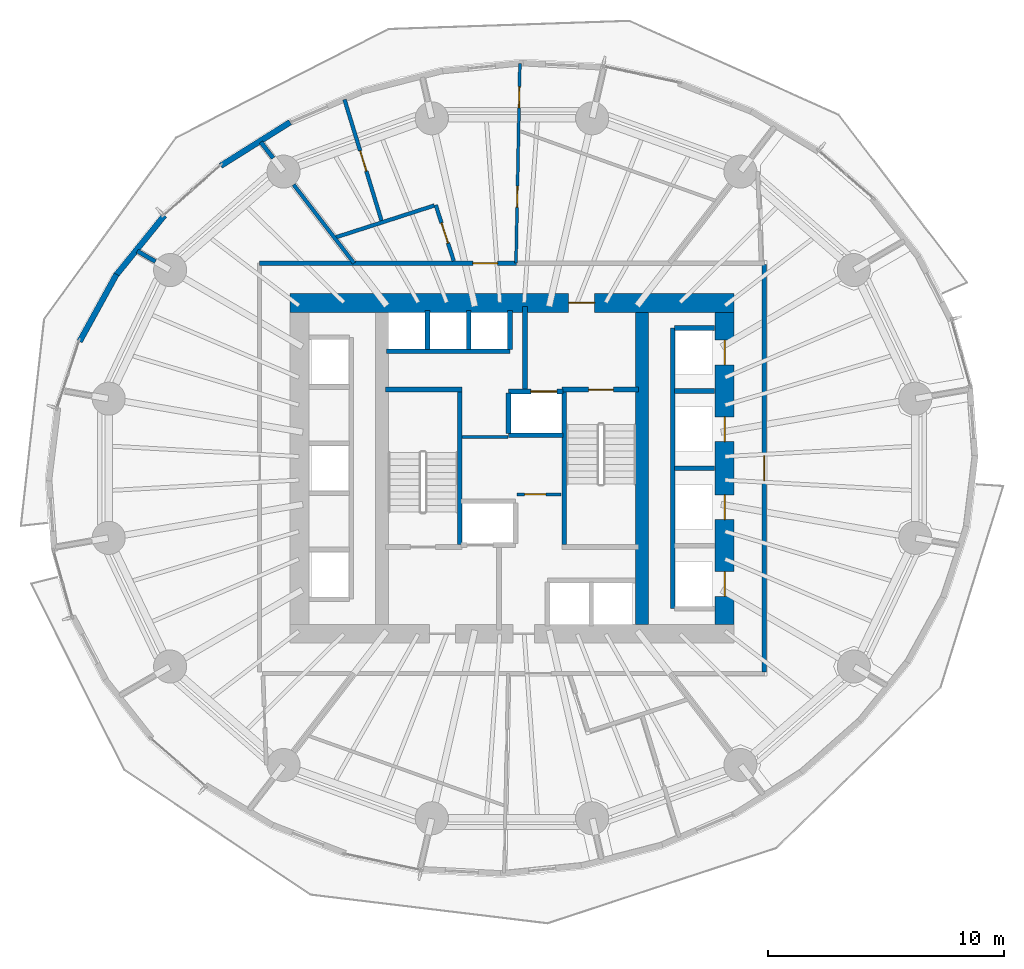
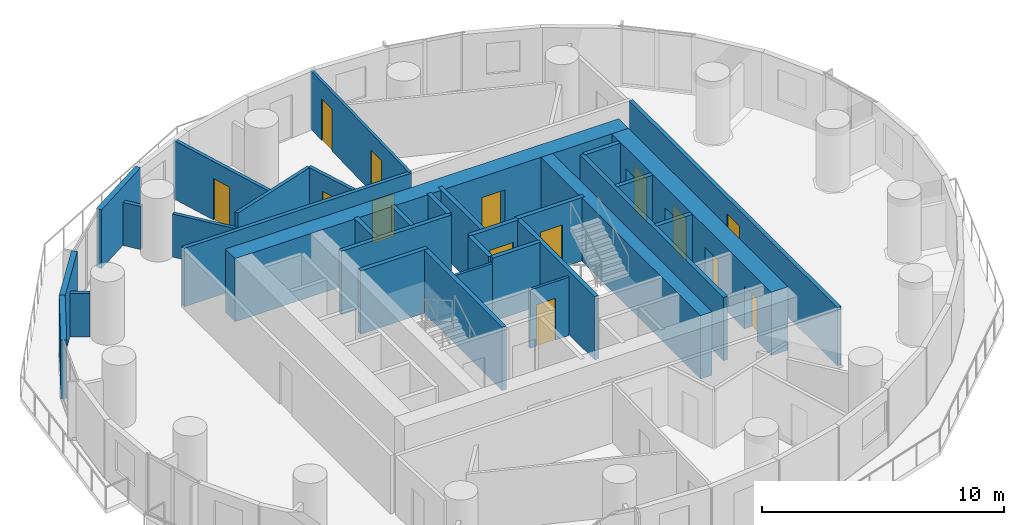
# One storey, part 8 of 13: 33 walls, 14 doors, 14 openings.
"""IFC4 building model written with IfcOpenShell, lengths in metres."""

from ifc_helpers import new_model, si_unit, direction, frame, frame_2d, origin, place, context, subcontext, project, spatial, rectangle, extrude, material, layer, layer_set, type_object, element, fill, save


model = new_model("IFC4")

# Units and contexts
model_context = context("Model", 3, precision=1e-05, world=origin(), true_north=direction((0.0, 1.0)))
body_context = subcontext(model_context, "Body", "Model", "MODEL_VIEW")
ifc_project = project(units=[si_unit("LENGTHUNIT", "METRE"), si_unit("AREAUNIT", "SQUARE_METRE"), si_unit("VOLUMEUNIT", "CUBIC_METRE"), si_unit("PLANEANGLEUNIT", "RADIAN"), si_unit("MASSUNIT", "GRAM", prefix="KILO")], contexts=[model_context])

# Site, building, storey
site_placement = place(None, origin())
site = spatial("IfcSite", under=ifc_project, at=site_placement, CompositionType="ELEMENT")
building_placement = place(site_placement, origin())
building = spatial("IfcBuilding", under=site, at=building_placement, Name="Veldorim Arch Residences", CompositionType="ELEMENT")
storey_placement = place(building_placement, frame((0.0, 0.0, 47.199951171875)))
storey = spatial("IfcBuildingStorey", under=building, at=storey_placement, Name="L13", CompositionType="ELEMENT", Elevation=47.199951171875)

# Wall, opening, door
ifc_material_1 = material(Name="Acoustic Gypsum Board", Category="gypsum")
ifc_layer_1 = layer(ifc_material_1, 0.125, Name="Acoustic Stud Room Partition Wall 125")
ifc_layer_set_1 = layer_set([ifc_layer_1], Name="Acoustic Gypsum Board")
wall_type_1 = type_object("IfcWallType", Name="Acoustic Stud Room Partition Wall 125", PredefinedType="PARTITIONING", material=ifc_layer_set_1)
wall_1_placement = place(storey_placement, frame((32.219970703125, 22.89990234375, 0.0), z_axis=(0.0, 0.0, 1.0), x_axis=(1.0, 0.0, 0.0)))
wall_1 = element("IfcWall", 1, at=wall_1_placement, inside=storey, type_object=wall_type_1, Name="L13 interior wall WL-CA-L13-2", PredefinedType="PARTITIONING", context=body_context, shape_type="SweptSolid", body=[
    extrude(rectangle(XDim=1.860107421875, YDim=0.125, at=frame_2d((0.93017578125, 0.0))), origin(), (0.0, 0.0, 1.0), 2.955078125),
])
opening_1_placement = place(wall_1_placement, frame((0.31005859375, 0.0, 0.0)))
opening_1 = element("IfcOpeningElement", 2, at=opening_1_placement, cuts=wall_1, Name="Opening DR-SVC", PredefinedType="OPENING", context=body_context, shape_type="SweptSolid", body=[
    extrude(rectangle(XDim=0.89990234375, YDim=2.10009765625, at=frame_2d((0.449951171875, 1.050048828125))), frame((0.0, 0.072509765625, 0.0), z_axis=(0.0, -1.0, 0.0), x_axis=(1.0, 0.0, 0.0)), (0.0, 0.0, 1.0), 0.14501953125),
])
ifc_material_2 = material(Name="Fire-Rated Steel", Category="steel")
door_type_1 = type_object("IfcDoorType", Name="Riser, Shelter & Plant Room Rated Steel Door 900x2100", OperationType="SINGLE_SWING_LEFT", PredefinedType="DOOR", material=ifc_material_2)
door_1_placement = place(opening_1_placement, origin())
door_1 = element("IfcDoor", 3, at=door_1_placement, inside=storey, type_object=door_type_1, Name="L13 interior door DR-L13-CA1", OperationType="SINGLE_SWING_RIGHT", OverallHeight=2.10009765625, OverallWidth=0.89990234375, PredefinedType="DOOR", context=body_context, shape_type="SweptSolid", body=[
    extrude(rectangle(XDim=0.89990234375, YDim=2.10009765625, at=frame_2d((0.449951171875, 1.050048828125))), frame((0.0, 0.02490234375, 0.0), z_axis=(0.0, -1.0, 0.0), x_axis=(1.0, 0.0, 0.0)), (0.0, 0.0, 1.0), 0.050048828125),
])
fill(opening_1, door_1)

# Wall
wall_2_placement = place(storey_placement, frame((29.889892578125, 25.330078125, 0.0), z_axis=(0.0, 0.0, 1.0), x_axis=(1.0, 0.0, 0.0)))
element("IfcWall", 4, at=wall_2_placement, inside=storey, type_object=wall_type_1, Name="L13 interior wall WL-CA-L13-N", PredefinedType="PARTITIONING", context=body_context, shape_type="SweptSolid", body=[
    extrude(rectangle(XDim=1.940185546875, YDim=0.125, at=frame_2d((0.97021484375, 0.0))), origin(), (0.0, 0.0, 1.0), 2.955078125),
])

# Wall, openings, doors
wall_3_placement = place(storey_placement, frame((32.334716796875, 41.129638671875, 0.0), z_axis=(0.0, 0.0, 1.0), x_axis=(-0.019528202577, -0.99980930647, 0.0)))
wall_3 = element("IfcWall", 5, at=wall_3_placement, inside=storey, type_object=wall_type_1, Name="L13 interior wall WL-RES-L13-017", PredefinedType="PARTITIONING", context=body_context, shape_type="SweptSolid", body=[
    extrude(rectangle(XDim=8.451416015625, YDim=0.125, at=frame_2d((4.2255859375, 0.0))), origin(), (0.0, 0.0, 1.0), 2.955078125),
])
opening_2_placement = place(wall_3_placement, frame((0.981201171875, 0.0, 0.0)))
opening_2 = element("IfcOpeningElement", 6, at=opening_2_placement, cuts=wall_3, Name="Opening DR-INT", PredefinedType="OPENING", context=body_context, shape_type="SweptSolid", body=[
    extrude(rectangle(XDim=0.89990234375, YDim=2.10009765625, at=frame_2d((0.449951171875, 1.050048828125))), frame((0.0, 0.072509765625, 0.0), z_axis=(0.0, -1.0, 0.0), x_axis=(1.0, 0.0, 0.0)), (0.0, 0.0, 1.0), 0.14501953125),
])
opening_3_placement = place(wall_3_placement, frame((5.186279296875, 0.0, 0.0)))
opening_3 = element("IfcOpeningElement", 7, at=opening_3_placement, cuts=wall_3, Name="Opening DR-INT", PredefinedType="OPENING", context=body_context, shape_type="SweptSolid", body=[
    extrude(rectangle(XDim=0.89990234375, YDim=2.10009765625, at=frame_2d((0.449951171875, 1.050048828125))), frame((0.0, 0.072509765625, 0.0), z_axis=(0.0, -1.0, 0.0), x_axis=(1.0, 0.0, 0.0)), (0.0, 0.0, 1.0), 0.14501953125),
])
ifc_material_3 = material(Name="Engineered Timber", Category="wood")
door_type_2 = type_object("IfcDoorType", Name="Apartment Internal Room Timber Door 900x2100", OperationType="SINGLE_SWING_LEFT", PredefinedType="DOOR", material=ifc_material_3)
door_2_placement = place(opening_2_placement, origin())
door_2 = element("IfcDoor", 8, at=door_2_placement, inside=storey, type_object=door_type_2, Name="L13 interior door DR-RES-L13-010", OperationType="SINGLE_SWING_RIGHT", OverallHeight=2.10009765625, OverallWidth=0.89990234375, PredefinedType="DOOR", context=body_context, shape_type="SweptSolid", body=[
    extrude(rectangle(XDim=0.89990234375, YDim=2.10009765625, at=frame_2d((0.449951171875, 1.050048828125))), frame((0.0, 0.02490234375, 0.0), z_axis=(0.0, -1.0, 0.0), x_axis=(1.0, 0.0, 0.0)), (0.0, 0.0, 1.0), 0.050048828125),
])
fill(opening_2, door_2)
door_3_placement = place(opening_3_placement, origin())
door_3 = element("IfcDoor", 9, at=door_3_placement, inside=storey, type_object=door_type_2, Name="L13 interior door DR-RES-L13-011", OperationType="SINGLE_SWING_LEFT", OverallHeight=2.10009765625, OverallWidth=0.89990234375, PredefinedType="DOOR", context=body_context, shape_type="SweptSolid", body=[
    extrude(rectangle(XDim=0.89990234375, YDim=2.10009765625, at=frame_2d((0.449951171875, 1.050048828125))), frame((0.0, 0.02490234375, 0.0), z_axis=(0.0, -1.0, 0.0), x_axis=(1.0, 0.0, 0.0)), (0.0, 0.0, 1.0), 0.050048828125),
])
fill(opening_3, door_3)

# Walls
ifc_material_4 = material(Name="Lightweight Masonry Block & Gypsum", Category="masonry")
ifc_layer_2 = layer(ifc_material_4, 0.179931640625, Name="Compartment & Corridor Fire-Rated Party Wall 180")
ifc_layer_set_2 = layer_set([ifc_layer_2], Name="Lightweight Masonry Block & Gypsum")
wall_type_2 = type_object("IfcWallType", Name="Compartment & Corridor Fire-Rated Party Wall 180", PredefinedType="PARTITIONING", material=ifc_layer_set_2)
wall_4_placement = place(storey_placement, frame((21.893798828125, 37.125732421875, 0.0), z_axis=(0.0, 0.0, 1.0), x_axis=(-0.610124026743, 0.792305920709, 0.0)))
element("IfcWall", 10, at=wall_4_placement, inside=storey, type_object=wall_type_2, Name="L13 interior wall WL-PIER-L13-06", PredefinedType="PARTITIONING", context=body_context, shape_type="SweptSolid", body=[
    extrude(rectangle(XDim=0.856201171875, YDim=0.179931640625, at=frame_2d((0.42822265625, 0.0))), origin(), (0.0, 0.0, 1.0), 2.17822265625),
])
wall_5_placement = place(storey_placement, frame((16.909423828125, 32.750244140625, 0.0), z_axis=(0.0, 0.0, 1.0), x_axis=(-0.86495471492, 0.501849918937, 0.0)))
element("IfcWall", 11, at=wall_5_placement, inside=storey, type_object=wall_type_2, Name="L13 interior wall WL-PIER-L13-07", PredefinedType="PARTITIONING", context=body_context, shape_type="SweptSolid", body=[
    extrude(rectangle(XDim=0.886962890625, YDim=0.179931640625, at=frame_2d((0.443359375, 0.0))), origin(), (0.0, 0.0, 1.0), 2.17822265625),
])

# Wall, opening, door
wall_6_placement = place(storey_placement, frame((42.679931640625, 32.6201171875, 0.0), z_axis=(0.0, 0.0, 1.0), x_axis=(0.0, -1.0, 0.0)))
wall_6 = element("IfcWall", 12, at=wall_6_placement, inside=storey, type_object=wall_type_2, Name="L13 interior wall WL-RES-L13-003", PredefinedType="PARTITIONING", context=body_context, shape_type="SweptSolid", body=[
    extrude(rectangle(XDim=17.240234375, YDim=0.179931640625, at=frame_2d((8.6201171875, 0.0))), origin(), (0.0, 0.0, 1.0), 2.955078125),
])
opening_4_placement = place(wall_6_placement, frame((8.094970703125, 0.0, 0.0)))
opening_4 = element("IfcOpeningElement", 13, at=opening_4_placement, cuts=wall_6, Name="Opening DR-FLT", PredefinedType="OPENING", context=body_context, shape_type="SweptSolid", body=[
    extrude(rectangle(XDim=1.050048828125, YDim=2.14990234375, at=frame_2d((0.52490234375, 1.074951171875))), frame((0.0, 0.099853515625, 0.0), z_axis=(0.0, -1.0, 0.0), x_axis=(1.0, 0.0, 0.0)), (0.0, 0.0, 1.0), 0.199951171875),
])
ifc_material_5 = material(Name="Fire-Rated Timber", Category="wood")
door_type_3 = type_object("IfcDoorType", Name="Apartment Entrance Solid-Core Fire Door 1050x2150", OperationType="SINGLE_SWING_LEFT", PredefinedType="DOOR", material=ifc_material_5)
door_4_placement = place(opening_4_placement, origin())
door_4 = element("IfcDoor", 14, at=door_4_placement, inside=storey, type_object=door_type_3, Name="L13 interior door DR-RES-L13-006", OperationType="SINGLE_SWING_RIGHT", OverallHeight=2.14990234375, OverallWidth=1.050048828125, PredefinedType="DOOR", context=body_context, shape_type="SweptSolid", body=[
    extrude(rectangle(XDim=1.050048828125, YDim=2.14990234375, at=frame_2d((0.52490234375, 1.074951171875))), frame((0.0, 0.02490234375, 0.0), z_axis=(0.0, -1.0, 0.0), x_axis=(1.0, 0.0, 0.0)), (0.0, 0.0, 1.0), 0.050048828125),
])
fill(opening_4, door_4)

wall_7_placement = place(storey_placement, frame((21.320068359375, 32.679931640625, 0.0), z_axis=(0.0, 0.0, 1.0), x_axis=(1.0, 0.0, 0.0)))
wall_7 = element("IfcWall", 15, at=wall_7_placement, inside=storey, type_object=wall_type_2, Name="L13 interior wall WL-RES-L13-004", PredefinedType="PARTITIONING", context=body_context, shape_type="SweptSolid", body=[
    extrude(rectangle(XDim=10.86962890625, YDim=0.179931640625, at=frame_2d((5.434814453125, 0.0))), origin(), (0.0, 0.0, 1.0), 2.955078125),
])
opening_5_placement = place(wall_7_placement, frame((9.02294921875, 0.0, 0.0)))
opening_5 = element("IfcOpeningElement", 16, at=opening_5_placement, cuts=wall_7, Name="Opening DR-FLT", PredefinedType="OPENING", context=body_context, shape_type="SweptSolid", body=[
    extrude(rectangle(XDim=1.050048828125, YDim=2.14990234375, at=frame_2d((0.52490234375, 1.074951171875))), frame((0.0, 0.099853515625, 0.0), z_axis=(0.0, -1.0, 0.0), x_axis=(1.0, 0.0, 0.0)), (0.0, 0.0, 1.0), 0.199951171875),
])
door_5_placement = place(opening_5_placement, origin())
door_5 = element("IfcDoor", 17, at=door_5_placement, inside=storey, type_object=door_type_3, Name="L13 interior door DR-RES-L13-008", OperationType="SINGLE_SWING_RIGHT", OverallHeight=2.14990234375, OverallWidth=1.050048828125, PredefinedType="DOOR", context=body_context, shape_type="SweptSolid", body=[
    extrude(rectangle(XDim=1.050048828125, YDim=2.14990234375, at=frame_2d((0.52490234375, 1.074951171875))), frame((0.0, 0.02490234375, 0.0), z_axis=(0.0, -1.0, 0.0), x_axis=(1.0, 0.0, 0.0)), (0.0, 0.0, 1.0), 0.050048828125),
])
fill(opening_5, door_5)

# Walls
ifc_material_6 = material(Name="Concrete C50/60", Category="concrete")
ifc_layer_3 = layer(ifc_material_6, 0.199951171875, Name="Core Stair & Lift Shaft Enclosure Wall 200")
ifc_layer_set_3 = layer_set([ifc_layer_3], Name="Concrete C50/60")
wall_type_3 = type_object("IfcWallType", Name="Core Stair & Lift Shaft Enclosure Wall 200", PredefinedType="SHEAR", material=ifc_layer_set_3)
wall_8_placement = place(storey_placement, frame((29.7900390625, 20.780029296875, 0.0), z_axis=(0.0, 0.0, 1.0), x_axis=(0.0, 1.0, 0.0)))
element("IfcWall", 18, at=wall_8_placement, inside=storey, type_object=wall_type_3, Name="L13 shaft wall WL-SHF-L13-ST1-E", PredefinedType="SHEAR", context=body_context, shape_type="SweptSolid", body=[
    extrude(rectangle(XDim=6.43994140625, YDim=0.199951171875, at=frame_2d((3.219970703125, 0.0))), origin(), (0.0, 0.0, 1.0), 3.199951171875),
])
wall_9_placement = place(storey_placement, frame((26.64990234375, 27.330078125, 0.0), z_axis=(0.0, 0.0, 1.0), x_axis=(1.0, 0.0, 0.0)))
element("IfcWall", 19, at=wall_9_placement, inside=storey, type_object=wall_type_3, Name="L13 shaft wall WL-SHF-L13-ST1-N", PredefinedType="SHEAR", context=body_context, shape_type="SweptSolid", body=[
    extrude(rectangle(XDim=3.239990234375, YDim=0.199951171875, at=frame_2d((1.6201171875, 0.0))), origin(), (0.0, 0.0, 1.0), 3.199951171875),
])
wall_10_placement = place(storey_placement, frame((34.2099609375, 20.780029296875, 0.0), z_axis=(0.0, 0.0, 1.0), x_axis=(0.0, 1.0, 0.0)))
element("IfcWall", 20, at=wall_10_placement, inside=storey, type_object=wall_type_3, Name="L13 shaft wall WL-SHF-L13-ST2-W", PredefinedType="SHEAR", context=body_context, shape_type="SweptSolid", body=[
    extrude(rectangle(XDim=6.43994140625, YDim=0.199951171875, at=frame_2d((3.219970703125, 0.0))), origin(), (0.0, 0.0, 1.0), 3.199951171875),
])

# Wall, opening, door
wall_11_placement = place(storey_placement, frame((34.110107421875, 27.330078125, 0.0), z_axis=(0.0, 0.0, 1.0), x_axis=(1.0, 0.0, 0.0)))
wall_11 = element("IfcWall", 21, at=wall_11_placement, inside=storey, type_object=wall_type_3, Name="L13 shaft wall WL-SHF-L13-ST2-N", PredefinedType="SHEAR", context=body_context, shape_type="SweptSolid", body=[
    extrude(rectangle(XDim=3.239990234375, YDim=0.199951171875, at=frame_2d((1.6201171875, 0.0))), origin(), (0.0, 0.0, 1.0), 3.199951171875),
])
opening_6_placement = place(wall_11_placement, frame((1.135009765625, 0.0, 0.0)))
opening_6 = element("IfcOpeningElement", 22, at=opening_6_placement, cuts=wall_11, Name="Opening DR-ST", PredefinedType="OPENING", context=body_context, shape_type="SweptSolid", body=[
    extrude(rectangle(XDim=1.050048828125, YDim=2.14990234375, at=frame_2d((0.52490234375, 1.074951171875))), frame((0.0, 0.10986328125, 0.0), z_axis=(0.0, -1.0, 0.0), x_axis=(1.0, 0.0, 0.0)), (0.0, 0.0, 1.0), 0.219970703125),
])
ifc_material_7 = material(Name="Fire-Rated Steel", Category="steel")
door_type_4 = type_object("IfcDoorType", Name="Exit Staircase Self-Closing Fire Door 1050x2150", OperationType="SINGLE_SWING_LEFT", PredefinedType="DOOR", material=ifc_material_7)
door_6_placement = place(opening_6_placement, origin())
door_6 = element("IfcDoor", 23, at=door_6_placement, inside=storey, type_object=door_type_4, Name="L13 interior door DR-L13-ST2", OperationType="SINGLE_SWING_RIGHT", OverallHeight=2.14990234375, OverallWidth=1.050048828125, PredefinedType="DOOR", context=body_context, shape_type="SweptSolid", body=[
    extrude(rectangle(XDim=1.050048828125, YDim=2.14990234375, at=frame_2d((0.52490234375, 1.074951171875))), frame((0.0, 0.02490234375, 0.0), z_axis=(0.0, -1.0, 0.0), x_axis=(1.0, 0.0, 0.0)), (0.0, 0.0, 1.0), 0.050048828125),
])
fill(opening_6, door_6)

# Wall
wall_12_placement = place(storey_placement, frame((32.550048828125, 27.35009765625, 0.0), z_axis=(0.0, 0.0, 1.0), x_axis=(0.0, 1.0, 0.0)))
element("IfcWall", 24, at=wall_12_placement, inside=storey, type_object=wall_type_3, Name="L13 shaft wall WL-FFL2-L13-W", PredefinedType="SHEAR", context=body_context, shape_type="SweptSolid", body=[
    extrude(rectangle(XDim=3.5, YDim=0.199951171875, at=frame_2d((1.75, 0.0))), origin(), (0.0, 0.0, 1.0), 3.199951171875),
])

# Wall, opening, door
wall_13_placement = place(storey_placement, frame((31.85009765625, 27.25, 0.0), z_axis=(0.0, 0.0, 1.0), x_axis=(1.0, 0.0, 0.0)))
wall_13 = element("IfcWall", 25, at=wall_13_placement, inside=storey, type_object=wall_type_3, Name="L13 shaft wall WL-FL02-L13-N", PredefinedType="SHEAR", context=body_context, shape_type="SweptSolid", body=[
    extrude(rectangle(XDim=2.2998046875, YDim=0.199951171875, at=frame_2d((1.14990234375, 0.0))), origin(), (0.0, 0.0, 1.0), 3.199951171875),
])
opening_7_placement = place(wall_13_placement, frame((0.949951171875, 0.0, 0.0)))
opening_7 = element("IfcOpeningElement", 26, at=opening_7_placement, cuts=wall_13, Name="Opening LD-FF", PredefinedType="OPENING", context=body_context, shape_type="SweptSolid", body=[
    extrude(rectangle(XDim=1.10009765625, YDim=2.14990234375, at=frame_2d((0.550048828125, 1.074951171875))), frame((0.0, 0.10986328125, 0.0), z_axis=(0.0, -1.0, 0.0), x_axis=(1.0, 0.0, 0.0)), (0.0, 0.0, 1.0), 0.219970703125),
])
ifc_material_8 = material(Name="Stainless Steel", Category="steel")
door_type_5 = type_object("IfcDoorType", Name="Firefighting Lift Bi-Parting Sliding Landing Door 1100x2150", OperationType="DOUBLE_DOOR_SLIDING", PredefinedType="DOOR", material=ifc_material_8)
door_7_placement = place(opening_7_placement, origin())
door_7 = element("IfcDoor", 27, at=door_7_placement, inside=storey, type_object=door_type_5, Name="L13 lift landing door LD-L13-FL02", OperationType="DOUBLE_DOOR_SLIDING", OverallHeight=2.14990234375, OverallWidth=1.10009765625, PredefinedType="DOOR", context=body_context, shape_type="SweptSolid", body=[
    extrude(rectangle(XDim=1.10009765625, YDim=2.14990234375, at=frame_2d((0.550048828125, 1.074951171875))), frame((0.0, 0.02490234375, 0.0), z_axis=(0.0, -1.0, 0.0), x_axis=(1.0, 0.0, 0.0)), (0.0, 0.0, 1.0), 0.050048828125),
])
fill(opening_7, door_7)

# Walls
wall_14_placement = place(storey_placement, frame((31.85009765625, 25.39990234375, 0.0), z_axis=(0.0, 0.0, 1.0), x_axis=(1.0, 0.0, 0.0)))
element("IfcWall", 28, at=wall_14_placement, inside=storey, type_object=wall_type_3, Name="L13 shaft wall WL-FL02-L13-S", PredefinedType="SHEAR", context=body_context, shape_type="SweptSolid", body=[
    extrude(rectangle(XDim=2.2998046875, YDim=0.199951171875, at=frame_2d((1.14990234375, 0.0))), origin(), (0.0, 0.0, 1.0), 3.199951171875),
])
wall_15_placement = place(storey_placement, frame((31.85009765625, 25.469970703125, 0.0), z_axis=(0.0, 0.0, 1.0), x_axis=(0.0, 1.0, 0.0)))
element("IfcWall", 29, at=wall_15_placement, inside=storey, type_object=wall_type_3, Name="L13 shaft wall WL-FL02-L13-W", PredefinedType="SHEAR", context=body_context, shape_type="SweptSolid", body=[
    extrude(rectangle(XDim=1.7099609375, YDim=0.199951171875, at=frame_2d((0.85498046875, 0.0))), origin(), (0.0, 0.0, 1.0), 3.199951171875),
])
wall_16_placement = place(storey_placement, frame((38.800048828125, 18.06005859375, 0.0), z_axis=(0.0, 0.0, 1.0), x_axis=(0.0, 1.0, 0.0)))
element("IfcWall", 30, at=wall_16_placement, inside=storey, type_object=wall_type_3, Name="L13 shaft wall WL-B1-L13-W", PredefinedType="SHEAR", context=body_context, shape_type="SweptSolid", body=[
    extrude(rectangle(XDim=11.8798828125, YDim=0.199951171875, at=frame_2d((5.93994140625, 0.0))), origin(), (0.0, 0.0, 1.0), 3.199951171875),
])
for number, where, z_axis, x_axis, name in (
    (31, (38.8701171875, 29.93994140625, 0.0), (0.0, 0.0, 1.0), (1.0, 0.0, 0.0), "L13 shaft wall WL-B1-L13-N"),
    (32, (38.8701171875, 24.0, 0.0), (0.0, 0.0, 1.0), (1.0, 0.0, 0.0), "L13 shaft wall WL-B1-L13-D2"),
    (33, (38.8701171875, 27.27490234375, 0.0), (0.0, 0.0, 1.0), (1.0, 0.0, 0.0), "L13 shaft wall WL-B1-L13-D3"),
):
    element("IfcWall", number, at=place(storey_placement, frame(where, z_axis=z_axis, x_axis=x_axis)), inside=storey, type_object=wall_type_3, Name=name, PredefinedType="SHEAR", context=body_context, shape_type="SweptSolid", body=[
        extrude(rectangle(XDim=1.7099609375, YDim=0.199951171875, at=frame_2d((0.85498046875, 0.0))), origin(), (0.0, 0.0, 1.0), 3.199951171875),
    ])
wall_17_placement = place(storey_placement, frame((26.679931640625, 28.949951171875, 0.0), z_axis=(0.0, 0.0, 1.0), x_axis=(1.0, 0.0, 0.0)))
element("IfcWall", 34, at=wall_17_placement, inside=storey, type_object=wall_type_3, Name="L13 shaft wall WL-B3-L13-S", PredefinedType="SHEAR", context=body_context, shape_type="SweptSolid", body=[
    extrude(rectangle(XDim=5.239990234375, YDim=0.199951171875, at=frame_2d((2.6201171875, 0.0))), origin(), (0.0, 0.0, 1.0), 3.199951171875),
])
for number, where, z_axis, x_axis, name in (
    (35, (31.919921875, 29.02001953125, 0.0), (0.0, 0.0, 1.0), (0.0, 1.0, 0.0), "L13 shaft wall WL-B3-L13-E"),
    (36, (28.425048828125, 29.02001953125, 0.0), (0.0, 0.0, 1.0), (0.0, 1.0, 0.0), "L13 shaft wall WL-B3-L13-D1"),
    (37, (30.175048828125, 29.02001953125, 0.0), (0.0, 0.0, 1.0), (0.0, 1.0, 0.0), "L13 shaft wall WL-B3-L13-D2"),
):
    element("IfcWall", number, at=place(storey_placement, frame(where, z_axis=z_axis, x_axis=x_axis)), inside=storey, type_object=wall_type_3, Name=name, PredefinedType="SHEAR", context=body_context, shape_type="SweptSolid", body=[
        extrude(rectangle(XDim=1.659912109375, YDim=0.199951171875, at=frame_2d((0.830078125, 0.0))), origin(), (0.0, 0.0, 1.0), 3.199951171875),
    ])
ifc_material_9 = material(Name="Concrete C60/75", Category="concrete")
ifc_layer_4 = layer(ifc_material_9, 0.56005859375, Name="Internal Core Shear Web Wall 560")
ifc_layer_set_4 = layer_set([ifc_layer_4], Name="Concrete C60/75")
wall_type_4 = type_object("IfcWallType", Name="Internal Core Shear Web Wall 560", PredefinedType="SHEAR", material=ifc_layer_set_4)
wall_18_placement = place(storey_placement, frame((37.5, 17.39990234375, 0.0), z_axis=(0.0, 0.0, 1.0), x_axis=(0.0, 1.0, 0.0)))
element("IfcWall", 38, at=wall_18_placement, inside=storey, type_object=wall_type_4, Name="L13 core east internal shear web", PredefinedType="SHEAR", context=body_context, shape_type="SweptSolid", body=[
    extrude(rectangle(XDim=13.2001953125, YDim=0.56005859375, at=frame_2d((6.60009765625, 0.0))), origin(), (0.0, 0.0, 1.0), 3.199951171875),
])

# Wall, opening, door
ifc_material_10 = material(Name="Concrete C60/75", Category="concrete")
ifc_layer_5 = layer(ifc_material_10, 0.800048828125, Name="Lower Central Core Shear Wall 800")
ifc_layer_set_5 = layer_set([ifc_layer_5], Name="Concrete C60/75")
wall_type_5 = type_object("IfcWallType", Name="Lower Central Core Shear Wall 800", PredefinedType="SHEAR", material=ifc_layer_set_5)
wall_19_placement = place(storey_placement, frame((22.60009765625, 31.0, 0.0), z_axis=(0.0, 0.0, 1.0), x_axis=(1.0, 0.0, 0.0)))
wall_19 = element("IfcWall", 39, at=wall_19_placement, inside=storey, type_object=wall_type_5, Name="L13 central core north shear wall", PredefinedType="SHEAR", context=body_context, shape_type="SweptSolid", body=[
    extrude(rectangle(XDim=18.7998046875, YDim=0.800048828125, at=frame_2d((9.39990234375, 0.0))), origin(), (0.0, 0.0, 1.0), 3.199951171875),
])
opening_8_placement = place(wall_19_placement, frame((11.800048828125, 0.0, 0.0)))
opening_8 = element("IfcOpeningElement", 40, at=opening_8_placement, cuts=wall_19, Name="Opening DR-FFL", PredefinedType="OPENING", context=body_context, shape_type="SweptSolid", body=[
    extrude(rectangle(XDim=1.10009765625, YDim=2.14990234375, at=frame_2d((0.550048828125, 1.074951171875))), frame((0.0, 0.409912109375, 0.0), z_axis=(0.0, -1.0, 0.0), x_axis=(1.0, 0.0, 0.0)), (0.0, 0.0, 1.0), 0.820068359375),
])
ifc_material_11 = material(Name="Fire-Rated Steel & Vision Glass", Category="steel")
door_type_6 = type_object("IfcDoorType", Name="Firefighting Lobby Smoke-Stop Fire Door 1100x2150", OperationType="SINGLE_SWING_LEFT", PredefinedType="DOOR", material=ifc_material_11)
door_8_placement = place(opening_8_placement, origin())
door_8 = element("IfcDoor", 41, at=door_8_placement, inside=storey, type_object=door_type_6, Name="L13 interior door DR-L13-FFL2", OperationType="SINGLE_SWING_LEFT", OverallHeight=2.14990234375, OverallWidth=1.10009765625, PredefinedType="DOOR", context=body_context, shape_type="SweptSolid", body=[
    extrude(rectangle(XDim=1.10009765625, YDim=2.14990234375, at=frame_2d((0.550048828125, 1.074951171875))), frame((0.0, 0.02490234375, 0.0), z_axis=(0.0, -1.0, 0.0), x_axis=(1.0, 0.0, 0.0)), (0.0, 0.0, 1.0), 0.050048828125),
])
fill(opening_8, door_8)

# Wall, openings, doors
wall_20_placement = place(storey_placement, frame((41.0, 17.39990234375, 0.0), z_axis=(0.0, 0.0, 1.0), x_axis=(0.0, 1.0, 0.0)))
wall_20 = element("IfcWall", 42, at=wall_20_placement, inside=storey, type_object=wall_type_5, Name="L13 central core east shear wall", PredefinedType="SHEAR", context=body_context, shape_type="SweptSolid", body=[
    extrude(rectangle(XDim=13.2001953125, YDim=0.800048828125, at=frame_2d((6.60009765625, 0.0))), origin(), (0.0, 0.0, 1.0), 3.199951171875),
])
opening_9_placement = place(wall_20_placement, frame((1.175048828125, 0.0, 0.0)))
opening_9 = element("IfcOpeningElement", 43, at=opening_9_placement, cuts=wall_20, Name="Opening LD-PS", PredefinedType="OPENING", context=body_context, shape_type="SweptSolid", body=[
    extrude(rectangle(XDim=1.050048828125, YDim=2.14990234375, at=frame_2d((0.52490234375, 1.074951171875))), frame((0.0, 0.409912109375, 0.0), z_axis=(0.0, -1.0, 0.0), x_axis=(1.0, 0.0, 0.0)), (0.0, 0.0, 1.0), 0.820068359375),
])
opening_10_placement = place(wall_20_placement, frame((4.425048828125, 0.0, 0.0)))
opening_10 = element("IfcOpeningElement", 44, at=opening_10_placement, cuts=wall_20, Name="Opening LD-PS", PredefinedType="OPENING", context=body_context, shape_type="SweptSolid", body=[
    extrude(rectangle(XDim=1.050048828125, YDim=2.14990234375, at=frame_2d((0.52490234375, 1.074951171875))), frame((0.0, 0.409912109375, 0.0), z_axis=(0.0, -1.0, 0.0), x_axis=(1.0, 0.0, 0.0)), (0.0, 0.0, 1.0), 0.820068359375),
])
opening_11_placement = place(wall_20_placement, frame((7.72509765625, 0.0, 0.0)))
opening_11 = element("IfcOpeningElement", 45, at=opening_11_placement, cuts=wall_20, Name="Opening LD-PS", PredefinedType="OPENING", context=body_context, shape_type="SweptSolid", body=[
    extrude(rectangle(XDim=1.050048828125, YDim=2.14990234375, at=frame_2d((0.52490234375, 1.074951171875))), frame((0.0, 0.409912109375, 0.0), z_axis=(0.0, -1.0, 0.0), x_axis=(1.0, 0.0, 0.0)), (0.0, 0.0, 1.0), 0.820068359375),
])
opening_12_placement = place(wall_20_placement, frame((10.97509765625, 0.0, 0.0)))
opening_12 = element("IfcOpeningElement", 46, at=opening_12_placement, cuts=wall_20, Name="Opening LD-PS", PredefinedType="OPENING", context=body_context, shape_type="SweptSolid", body=[
    extrude(rectangle(XDim=1.050048828125, YDim=2.14990234375, at=frame_2d((0.52490234375, 1.074951171875))), frame((0.0, 0.409912109375, 0.0), z_axis=(0.0, -1.0, 0.0), x_axis=(1.0, 0.0, 0.0)), (0.0, 0.0, 1.0), 0.820068359375),
])
ifc_material_12 = material(Name="Stainless Steel", Category="steel")
door_type_7 = type_object("IfcDoorType", Name="Passenger Lift Bi-Parting Sliding Landing Door 1050x2150", OperationType="DOUBLE_DOOR_SLIDING", PredefinedType="DOOR", material=ifc_material_12)
door_9_placement = place(opening_9_placement, origin())
door_9 = element("IfcDoor", 47, at=door_9_placement, inside=storey, type_object=door_type_7, Name="L13 lift landing door LD-L13-PL-01", OperationType="DOUBLE_DOOR_SLIDING", OverallHeight=2.14990234375, OverallWidth=1.050048828125, PredefinedType="DOOR", context=body_context, shape_type="SweptSolid", body=[
    extrude(rectangle(XDim=1.050048828125, YDim=2.14990234375, at=frame_2d((0.52490234375, 1.074951171875))), frame((0.0, 0.02490234375, 0.0), z_axis=(0.0, -1.0, 0.0), x_axis=(1.0, 0.0, 0.0)), (0.0, 0.0, 1.0), 0.050048828125),
])
fill(opening_9, door_9)
door_10_placement = place(opening_10_placement, origin())
door_10 = element("IfcDoor", 48, at=door_10_placement, inside=storey, type_object=door_type_7, Name="L13 lift landing door LD-L13-PL-02", OperationType="DOUBLE_DOOR_SLIDING", OverallHeight=2.14990234375, OverallWidth=1.050048828125, PredefinedType="DOOR", context=body_context, shape_type="SweptSolid", body=[
    extrude(rectangle(XDim=1.050048828125, YDim=2.14990234375, at=frame_2d((0.52490234375, 1.074951171875))), frame((0.0, 0.02490234375, 0.0), z_axis=(0.0, -1.0, 0.0), x_axis=(1.0, 0.0, 0.0)), (0.0, 0.0, 1.0), 0.050048828125),
])
fill(opening_10, door_10)
door_11_placement = place(opening_11_placement, origin())
door_11 = element("IfcDoor", 49, at=door_11_placement, inside=storey, type_object=door_type_7, Name="L13 lift landing door LD-L13-PL-03", OperationType="DOUBLE_DOOR_SLIDING", OverallHeight=2.14990234375, OverallWidth=1.050048828125, PredefinedType="DOOR", context=body_context, shape_type="SweptSolid", body=[
    extrude(rectangle(XDim=1.050048828125, YDim=2.14990234375, at=frame_2d((0.52490234375, 1.074951171875))), frame((0.0, 0.02490234375, 0.0), z_axis=(0.0, -1.0, 0.0), x_axis=(1.0, 0.0, 0.0)), (0.0, 0.0, 1.0), 0.050048828125),
])
fill(opening_11, door_11)
door_12_placement = place(opening_12_placement, origin())
door_12 = element("IfcDoor", 50, at=door_12_placement, inside=storey, type_object=door_type_7, Name="L13 lift landing door LD-L13-PL-04", OperationType="DOUBLE_DOOR_SLIDING", OverallHeight=2.14990234375, OverallWidth=1.050048828125, PredefinedType="DOOR", context=body_context, shape_type="SweptSolid", body=[
    extrude(rectangle(XDim=1.050048828125, YDim=2.14990234375, at=frame_2d((0.52490234375, 1.074951171875))), frame((0.0, 0.02490234375, 0.0), z_axis=(0.0, -1.0, 0.0), x_axis=(1.0, 0.0, 0.0)), (0.0, 0.0, 1.0), 0.050048828125),
])
fill(opening_12, door_12)

# Walls
ifc_material_13 = material(Name="Precast concrete C40/50", Category="concrete")
ifc_layer_6 = layer(ifc_material_13, 0.25, Name="Tower Terracotta Spandrel & Pier Wall 250")
ifc_layer_set_6 = layer_set([ifc_layer_6], Name="Precast concrete C40/50")
wall_type_6 = type_object("IfcWallType", Name="Tower Terracotta Spandrel & Pier Wall 250", PredefinedType="SOLIDWALL", material=ifc_layer_set_6)
wall_21_placement = place(storey_placement, frame((19.674072265625, 36.80322265625, 0.0), z_axis=(0.0, 0.0, 1.0), x_axis=(0.846852351865, 0.531828068215, 0.0)))
element("IfcWall", 51, at=wall_21_placement, inside=storey, type_object=wall_type_6, Name="L13 terracotta facade wall 12", PredefinedType="SOLIDWALL", context=body_context, shape_type="SweptSolid", body=[
    extrude(rectangle(XDim=3.465087890625, YDim=0.25, at=frame_2d((1.732421875, 0.0))), origin(), (0.0, 0.0, 1.0), 2.9599609375),
])
wall_22_placement = place(storey_placement, frame((15.2001953125, 32.116943359375, 0.0), z_axis=(0.0, 0.0, 1.0), x_axis=(0.62854914488, 0.777769871151, 0.0)))
element("IfcWall", 52, at=wall_22_placement, inside=storey, type_object=wall_type_6, Name="L13 terracotta facade wall 14", PredefinedType="SOLIDWALL", context=body_context, shape_type="SweptSolid", body=[
    extrude(rectangle(XDim=3.322998046875, YDim=0.25, at=frame_2d((1.66162109375, 0.0))), origin(), (0.0, 0.0, 1.0), 2.9599609375),
])
wall_23_placement = place(storey_placement, frame((13.7001953125, 29.366455078125, 0.0), z_axis=(0.0, 0.0, 1.0), x_axis=(0.481612512773, 0.876384269337, 0.0)))
element("IfcWall", 53, at=wall_23_placement, inside=storey, type_object=wall_type_6, Name="L13 terracotta facade wall 15", PredefinedType="SOLIDWALL", context=body_context, shape_type="SweptSolid", body=[
    extrude(rectangle(XDim=3.244384765625, YDim=0.25, at=frame_2d((1.6220703125, 0.0))), origin(), (0.0, 0.0, 1.0), 2.9599609375),
])

# Wall, opening, door
ifc_material_14 = material(Name="Moisture-Resistant Gypsum & Stud", Category="gypsum")
ifc_layer_7 = layer(ifc_material_14, 0.159912109375, Name="Wet-Area Moisture-Resistant Plumbing Wall 160")
ifc_layer_set_7 = layer_set([ifc_layer_7], Name="Moisture-Resistant Gypsum & Stud")
wall_type_7 = type_object("IfcWallType", Name="Wet-Area Moisture-Resistant Plumbing Wall 160", PredefinedType="PLUMBINGWALL", material=ifc_layer_set_7)
wall_24_placement = place(storey_placement, frame((26.50048828125, 34.406005859375, 0.0), z_axis=(0.0, 0.0, 1.0), x_axis=(-0.292167210162, 0.956367252318, 0.0)))
wall_24 = element("IfcWall", 54, at=wall_24_placement, inside=storey, type_object=wall_type_7, Name="L13 interior wall WL-RES-L13-016", PredefinedType="PLUMBINGWALL", context=body_context, shape_type="SweptSolid", body=[
    extrude(rectangle(XDim=5.438232421875, YDim=0.159912109375, at=frame_2d((2.71923828125, 0.0))), origin(), (0.0, 0.0, 1.0), 2.955078125),
])
opening_13_placement = place(wall_24_placement, frame((2.26904296875, 0.0, 0.0)))
opening_13 = element("IfcOpeningElement", 55, at=opening_13_placement, cuts=wall_24, Name="Opening DR-WC", PredefinedType="OPENING", context=body_context, shape_type="SweptSolid", body=[
    extrude(rectangle(XDim=0.89990234375, YDim=2.10009765625, at=frame_2d((0.449951171875, 1.050048828125))), frame((0.0, 0.08984375, 0.0), z_axis=(0.0, -1.0, 0.0), x_axis=(1.0, 0.0, 0.0)), (0.0, 0.0, 1.0), 0.179931640625),
])
ifc_material_15 = material(Name="Laminate Timber", Category="wood")
door_type_8 = type_object("IfcDoorType", Name="Bathroom & Accessible WC Moisture-Sealed Door 900x2100", OperationType="SINGLE_SWING_LEFT", PredefinedType="DOOR", material=ifc_material_15)
door_13_placement = place(opening_13_placement, origin())
door_13 = element("IfcDoor", 56, at=door_13_placement, inside=storey, type_object=door_type_8, Name="L13 interior door DR-RES-L13-009", OperationType="SINGLE_SWING_LEFT", OverallHeight=2.10009765625, OverallWidth=0.89990234375, PredefinedType="DOOR", context=body_context, shape_type="SweptSolid", body=[
    extrude(rectangle(XDim=0.89990234375, YDim=2.10009765625, at=frame_2d((0.449951171875, 1.050048828125))), frame((0.0, 0.02490234375, 0.0), z_axis=(0.0, -1.0, 0.0), x_axis=(1.0, 0.0, 0.0)), (0.0, 0.0, 1.0), 0.050048828125),
])
fill(opening_13, door_13)

wall_25_placement = place(storey_placement, frame((29.53662109375, 32.775146484375, 0.0), z_axis=(0.0, 0.0, 1.0), x_axis=(-0.307163549255, 0.951656741693, 0.0)))
wall_25 = element("IfcWall", 57, at=wall_25_placement, inside=storey, type_object=wall_type_7, Name="L13 interior wall WL-RES-L13-018", PredefinedType="PLUMBINGWALL", context=body_context, shape_type="SweptSolid", body=[
    extrude(rectangle(XDim=2.484619140625, YDim=0.159912109375, at=frame_2d((1.2421875, 0.0))), origin(), (0.0, 0.0, 1.0), 2.955078125),
])
opening_14_placement = place(wall_25_placement, frame((0.792236328125, 0.0, 0.0)))
opening_14 = element("IfcOpeningElement", 58, at=opening_14_placement, cuts=wall_25, Name="Opening DR-INT", PredefinedType="OPENING", context=body_context, shape_type="SweptSolid", body=[
    extrude(rectangle(XDim=0.89990234375, YDim=2.10009765625, at=frame_2d((0.449951171875, 1.050048828125))), frame((0.0, 0.08984375, 0.0), z_axis=(0.0, -1.0, 0.0), x_axis=(1.0, 0.0, 0.0)), (0.0, 0.0, 1.0), 0.179931640625),
])
door_14_placement = place(opening_14_placement, origin())
door_14 = element("IfcDoor", 59, at=door_14_placement, inside=storey, type_object=door_type_2, Name="L13 interior door DR-RES-L13-012", OperationType="SINGLE_SWING_RIGHT", OverallHeight=2.10009765625, OverallWidth=0.89990234375, PredefinedType="DOOR", context=body_context, shape_type="SweptSolid", body=[
    extrude(rectangle(XDim=0.89990234375, YDim=2.10009765625, at=frame_2d((0.449951171875, 1.050048828125))), frame((0.0, 0.02490234375, 0.0), z_axis=(0.0, -1.0, 0.0), x_axis=(1.0, 0.0, 0.0)), (0.0, 0.0, 1.0), 0.050048828125),
])
fill(opening_14, door_14)

# Walls
wall_26_placement = place(storey_placement, frame((28.71630859375, 35.121337890625, 0.0), z_axis=(0.0, 0.0, 1.0), x_axis=(-0.951640751353, -0.307213086253, 0.0)))
element("IfcWall", 60, at=wall_26_placement, inside=storey, type_object=wall_type_7, Name="L13 interior wall WL-RES-L13-019", PredefinedType="PLUMBINGWALL", context=body_context, shape_type="SweptSolid", body=[
    extrude(rectangle(XDim=4.443115234375, YDim=0.159912109375, at=frame_2d((2.2216796875, 0.0))), origin(), (0.0, 0.0, 1.0), 2.955078125),
])
wall_27_placement = place(storey_placement, frame((25.31689453125, 32.679931640625, 0.0), z_axis=(0.0, 0.0, 1.0), x_axis=(-0.610070932863, 0.792346803411, 0.0)))
element("IfcWall", 61, at=wall_27_placement, inside=storey, type_object=wall_type_7, Name="L13 interior wall WL-RES-L13-020", PredefinedType="PLUMBINGWALL", context=body_context, shape_type="SweptSolid", body=[
    extrude(rectangle(XDim=4.1923828125, YDim=0.159912109375, at=frame_2d((2.09619140625, 0.0))), origin(), (0.0, 0.0, 1.0), 2.17822265625),
])

save(model, "model.ifc")
